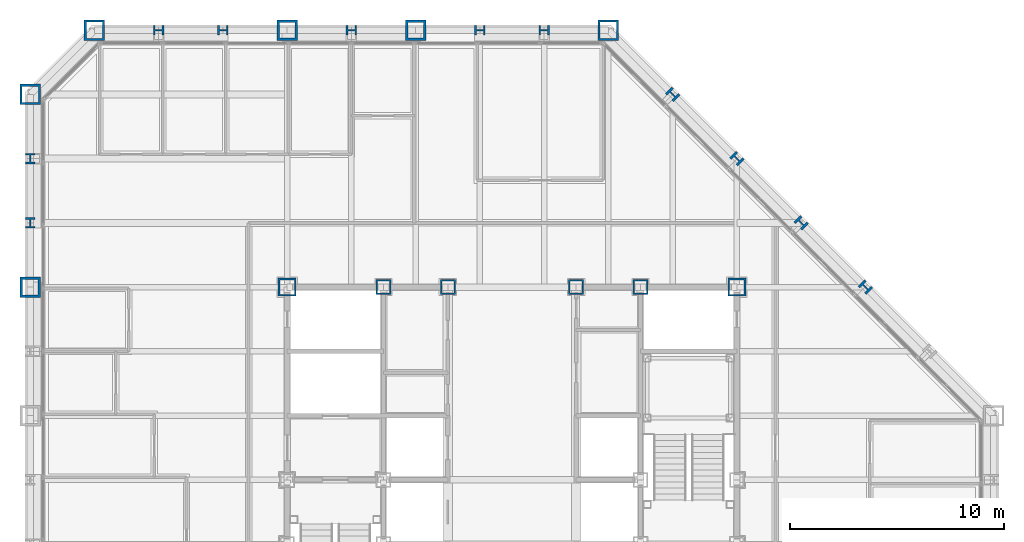
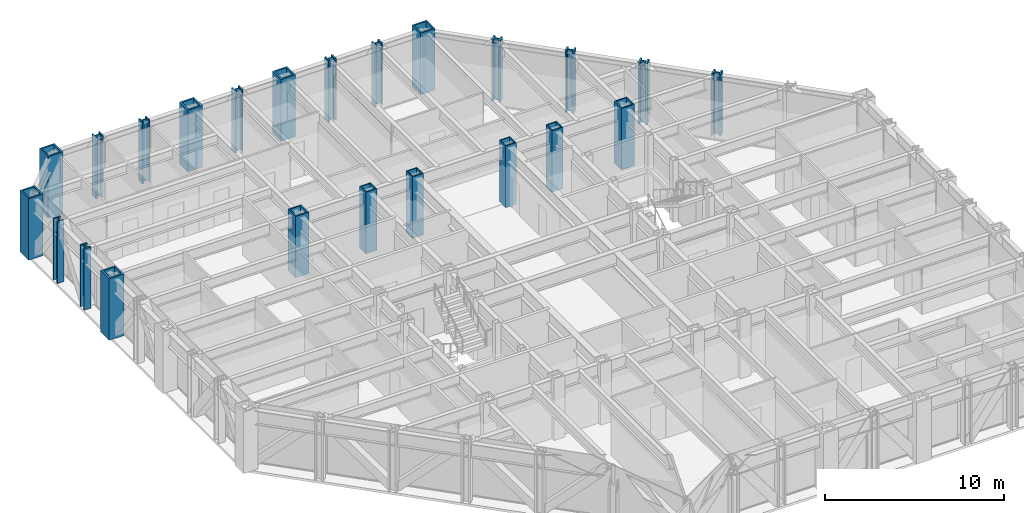
# One storey, part 3 of 16: 23 columns.
"""IFC4 building model written with IfcOpenShell, lengths in metres."""

from ifc_helpers import new_model, si_unit, direction, frame, origin, origin_2d, place, context, subcontext, project, spatial, hollow_rectangle, i_section, extrude, material, material_profile, profile_set, type_object, element, save


model = new_model("IFC4")

# Units and contexts
model_context = context("Model", 3, precision=1e-05, world=origin(), true_north=direction((0.0, 1.0)))
body_context = subcontext(model_context, "Body", "Model", "MODEL_VIEW")
ifc_project = project(units=[si_unit("LENGTHUNIT", "METRE"), si_unit("AREAUNIT", "SQUARE_METRE"), si_unit("VOLUMEUNIT", "CUBIC_METRE"), si_unit("PLANEANGLEUNIT", "RADIAN"), si_unit("MASSUNIT", "GRAM", prefix="KILO")], contexts=[model_context])

# Site, building, storey
site_placement = place(None, origin())
site = spatial("IfcSite", under=ifc_project, at=site_placement, CompositionType="ELEMENT")
building_placement = place(site_placement, origin())
building = spatial("IfcBuilding", under=site, at=building_placement, Name="Chuquiago Exchange Tower", CompositionType="ELEMENT")
storey_placement = place(building_placement, frame((0.0, 0.0, 119.39990234375)))
storey = spatial("IfcBuildingStorey", under=building, at=storey_placement, Name="L25", CompositionType="ELEMENT", Elevation=119.39990234375)

# Columns
ifc_material_1 = material(Name="Steel ASTM A992", Category="steel")
ifc_material_profile_1 = material_profile(ifc_material_1, i_section(OverallWidth=0.431884765625, OverallDepth=0.497802734375, WebThickness=0.0556640625, FlangeThickness=0.0888671875, at=origin_2d()), Name="W14X500")
ifc_profile_set_1 = profile_set([ifc_material_profile_1], Name="Steel ASTM A992")
column_type_1 = type_object("IfcColumnType", Name="C3 W14X500", PredefinedType="COLUMN", material=ifc_profile_set_1)
for number, where, z_axis, x_axis, name in (
    (1, (24.0, 45.0, 0.0), (0.0, 0.0, 1.0), (0.0, 1.0, 0.0), "COL-L25-24_45"),
    (2, (21.0, 45.0, 0.0), (0.0, 0.0, 1.0), (0.0, 1.0, 0.0), "COL-L25-21_45"),
    (3, (15.0, 45.0, 0.0), (0.0, 0.0, 1.0), (0.0, 1.0, 0.0), "COL-L25-15_45"),
    (4, (9.0, 45.0, 0.0), (0.0, 0.0, 1.0), (0.0, 1.0, 0.0), "COL-L25-9_45"),
    (5, (6.0, 45.0, 0.0), (0.0, 0.0, 1.0), (0.0, 1.0, 0.0), "COL-L25-6_45"),
    (6, (0.0, 39.0, 0.0), (0.0, 0.0, 1.0), (-1.0, 0.0, 0.0), "COL-L25-0_39"),
    (7, (0.0, 36.0, 0.0), (0.0, 0.0, 1.0), (-1.0, 0.0, 0.0), "COL-L25-0_36"),
):
    element("IfcColumn", number, at=place(storey_placement, frame(where, z_axis=z_axis, x_axis=x_axis)), inside=storey, type_object=column_type_1, Name=name, PredefinedType="COLUMN", context=body_context, shape_type="SweptSolid", body=[
        extrude(i_section(OverallWidth=0.431884765625, OverallDepth=0.497802734375, WebThickness=0.0556640625, FlangeThickness=0.0888671875, at=origin_2d()), origin(), (0.0, 0.0, 1.0), 4.2001953125),
    ])
ifc_material_2 = material(Name="Steel ASTM A572 Grade 50", Category="steel")
ifc_material_profile_2 = material_profile(ifc_material_2, hollow_rectangle(XDim=0.699951171875, YDim=0.699951171875, WallThickness=0.070068359375, at=origin_2d()), Name="BOX700X700X70")
ifc_profile_set_2 = profile_set([ifc_material_profile_2], Name="Steel ASTM A572 Grade 50")
column_type_2 = type_object("IfcColumnType", Name="CC3 BOX700X700X70", PredefinedType="COLUMN", material=ifc_profile_set_2)
for number, where, z_axis, x_axis, name in (
    (8, (16.5, 33.0, 0.0), (0.0, 0.0, 1.0), (1.0, 0.0, 0.0), "CCOL-L25-16.5_33"),
    (9, (19.5, 33.0, 0.0), (0.0, 0.0, 1.0), (1.0, 0.0, 0.0), "CCOL-L25-19.5_33"),
    (10, (25.5, 33.0, 0.0), (0.0, 0.0, 1.0), (1.0, 0.0, 0.0), "CCOL-L25-25.5_33"),
    (11, (28.5, 33.0, 0.0), (0.0, 0.0, 1.0), (1.0, 0.0, 0.0), "CCOL-L25-28.5_33"),
):
    element("IfcColumn", number, at=place(storey_placement, frame(where, z_axis=z_axis, x_axis=x_axis)), inside=storey, type_object=column_type_2, Name=name, PredefinedType="COLUMN", context=body_context, shape_type="SweptSolid", body=[
        extrude(hollow_rectangle(XDim=0.699951171875, YDim=0.699951171875, WallThickness=0.070068359375, at=origin_2d()), origin(), (0.0, 0.0, 1.0), 4.2001953125),
    ])
ifc_material_3 = material(Name="Steel ASTM A572 Grade 50", Category="steel")
ifc_material_profile_3 = material_profile(ifc_material_3, hollow_rectangle(XDim=0.85009765625, YDim=0.85009765625, WallThickness=0.0849609375, at=origin_2d()), Name="BOX850X850X85")
ifc_profile_set_3 = profile_set([ifc_material_profile_3], Name="Steel ASTM A572 Grade 50")
column_type_3 = type_object("IfcColumnType", Name="CC6 BOX850X850X85", PredefinedType="COLUMN", material=ifc_profile_set_3)
for number, where, z_axis, x_axis, name in (
    (12, (12.0, 33.0, 0.0), (0.0, 0.0, 1.0), (1.0, 0.0, 0.0), "CCOL-L25-12_33"),
    (13, (33.0, 33.0, 0.0), (0.0, 0.0, 1.0), (1.0, 0.0, 0.0), "CCOL-L25-33_33"),
):
    element("IfcColumn", number, at=place(storey_placement, frame(where, z_axis=z_axis, x_axis=x_axis)), inside=storey, type_object=column_type_3, Name=name, PredefinedType="COLUMN", context=body_context, shape_type="SweptSolid", body=[
        extrude(hollow_rectangle(XDim=0.85009765625, YDim=0.85009765625, WallThickness=0.0849609375, at=origin_2d()), origin(), (0.0, 0.0, 1.0), 4.2001953125),
    ])
ifc_material_4 = material(Name="Steel ASTM A992", Category="steel")
ifc_material_profile_4 = material_profile(ifc_material_4, i_section(OverallWidth=0.44189453125, OverallDepth=0.53076171875, WebThickness=0.06591796875, FlangeThickness=0.105712890625, at=origin_2d()), Name="W14X605")
ifc_profile_set_4 = profile_set([ifc_material_profile_4], Name="Steel ASTM A992")
column_type_4 = type_object("IfcColumnType", Name="CK3 W14X605", PredefinedType="COLUMN", material=ifc_profile_set_4)
for number, where, z_axis, x_axis, name in (
    (14, (39.0, 33.0, 0.0), (0.0, 0.0, 1.0), (0.707106781187, 0.707106781187, 0.0), "COL-L25-39_33"),
    (15, (36.0, 36.0, 0.0), (0.0, 0.0, 1.0), (0.707106781187, 0.707106781187, 0.0), "COL-L25-36_36"),
    (16, (33.0, 39.0, 0.0), (0.0, 0.0, 1.0), (0.707106781187, 0.707106781187, 0.0), "COL-L25-33_39"),
    (17, (30.0, 42.0, 0.0), (0.0, 0.0, 1.0), (0.707106781187, 0.707106781187, 0.0), "COL-L25-30_42"),
):
    element("IfcColumn", number, at=place(storey_placement, frame(where, z_axis=z_axis, x_axis=x_axis)), inside=storey, type_object=column_type_4, Name=name, PredefinedType="COLUMN", context=body_context, shape_type="SweptSolid", body=[
        extrude(i_section(OverallWidth=0.44189453125, OverallDepth=0.53076171875, WebThickness=0.06591796875, FlangeThickness=0.105712890625, at=origin_2d()), origin(), (0.0, 0.0, 1.0), 4.2001953125),
    ])
ifc_material_5 = material(Name="Steel ASTM A572 Grade 50", Category="steel")
ifc_material_profile_5 = material_profile(ifc_material_5, hollow_rectangle(XDim=0.949951171875, YDim=0.949951171875, WallThickness=0.094970703125, at=origin_2d()), Name="BOX950X950X95")
ifc_profile_set_5 = profile_set([ifc_material_profile_5], Name="Steel ASTM A572 Grade 50")
column_type_5 = type_object("IfcColumnType", Name="CN1 BOX950X950X95", PredefinedType="COLUMN", material=ifc_profile_set_5)
for number, where, z_axis, x_axis, name in (
    (18, (27.0, 45.0, 0.0), (0.0, 0.0, 1.0), (0.0, 1.0, 0.0), "COL-L25-27_45"),
    (19, (3.0, 45.0, 0.0), (0.0, 0.0, 1.0), (0.0, 1.0, 0.0), "COL-L25-3_45"),
    (20, (0.0, 42.0, 0.0), (0.0, 0.0, 1.0), (-1.0, 0.0, 0.0), "COL-L25-0_42"),
):
    element("IfcColumn", number, at=place(storey_placement, frame(where, z_axis=z_axis, x_axis=x_axis)), inside=storey, type_object=column_type_5, Name=name, PredefinedType="COLUMN", context=body_context, shape_type="SweptSolid", body=[
        extrude(hollow_rectangle(XDim=0.949951171875, YDim=0.949951171875, WallThickness=0.094970703125, at=origin_2d()), origin(), (0.0, 0.0, 1.0), 4.2001953125),
    ])
ifc_material_6 = material(Name="Steel ASTM A572 Grade 42", Category="steel")
ifc_material_profile_6 = material_profile(ifc_material_6, hollow_rectangle(XDim=0.949951171875, YDim=0.949951171875, WallThickness=0.110107421875, at=origin_2d()), Name="BOX950X950X110")
ifc_profile_set_6 = profile_set([ifc_material_profile_6], Name="Steel ASTM A572 Grade 42")
column_type_6 = type_object("IfcColumnType", Name="CT1 BOX950X950X110", PredefinedType="COLUMN", material=ifc_profile_set_6)
for number, where, z_axis, x_axis, name in (
    (21, (18.0, 45.0, 0.0), (0.0, 0.0, 1.0), (0.0, 1.0, 0.0), "COL-L25-18_45"),
    (22, (12.0, 45.0, 0.0), (0.0, 0.0, 1.0), (0.0, 1.0, 0.0), "COL-L25-12_45"),
    (23, (0.0, 33.0, 0.0), (0.0, 0.0, 1.0), (-1.0, 0.0, 0.0), "COL-L25-0_33"),
):
    element("IfcColumn", number, at=place(storey_placement, frame(where, z_axis=z_axis, x_axis=x_axis)), inside=storey, type_object=column_type_6, Name=name, PredefinedType="COLUMN", context=body_context, shape_type="SweptSolid", body=[
        extrude(hollow_rectangle(XDim=0.949951171875, YDim=0.949951171875, WallThickness=0.110107421875, at=origin_2d()), origin(), (0.0, 0.0, 1.0), 4.2001953125),
    ])

save(model, "model.ifc")
